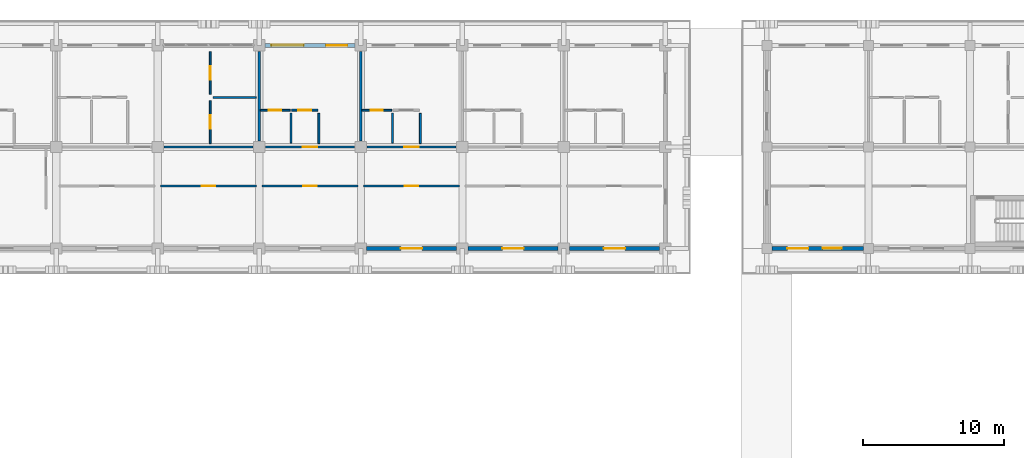
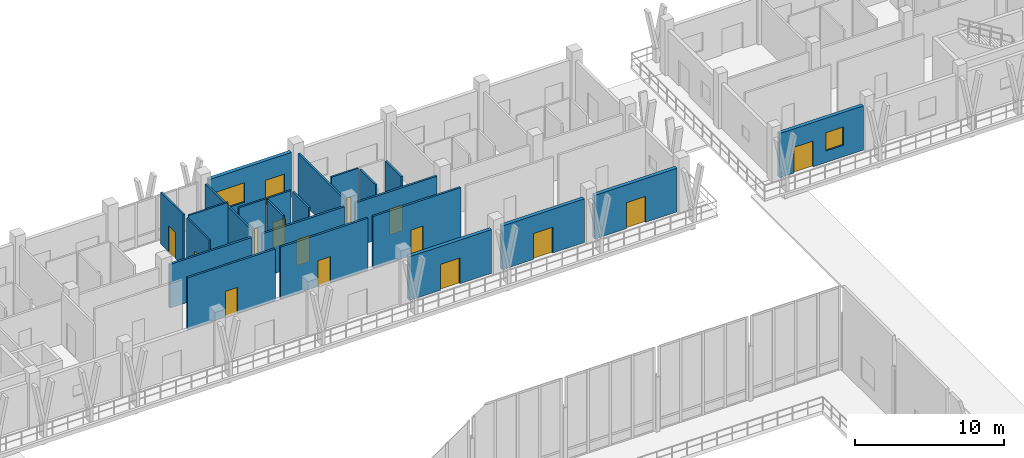
# One storey, part 78 of 110: 23 walls, 15 doors, 2 windows, 17 openings.
"""IFC4 building model written with IfcOpenShell, lengths in metres."""

from ifc_helpers import new_model, si_unit, direction, frame, frame_2d, origin, place, context, subcontext, project, spatial, rectangle, extrude, material, layer, layer_set, type_object, element, fill, save


model = new_model("IFC4")

# Units and contexts
model_context = context("Model", 3, precision=1e-05, world=origin(), true_north=direction((0.0, 1.0)))
body_context = subcontext(model_context, "Body", "Model", "MODEL_VIEW")
ifc_project = project(units=[si_unit("LENGTHUNIT", "METRE"), si_unit("AREAUNIT", "SQUARE_METRE"), si_unit("VOLUMEUNIT", "CUBIC_METRE"), si_unit("PLANEANGLEUNIT", "RADIAN"), si_unit("MASSUNIT", "GRAM", prefix="KILO")], contexts=[model_context])

# Site, building, storey
site_placement = place(None, origin())
site = spatial("IfcSite", under=ifc_project, at=site_placement, CompositionType="ELEMENT")
building_placement = place(site_placement, origin())
building = spatial("IfcBuilding", under=site, at=building_placement, Name="Suanplinth Sawtooth Commons", CompositionType="ELEMENT")
storey_placement = place(building_placement, frame((0.0, 0.0, 4.5)))
storey = spatial("IfcBuildingStorey", under=building, at=storey_placement, Name="L01", CompositionType="ELEMENT", Elevation=4.5)

# Wall, openings, door, window
ifc_material_1 = material(Name="Precast concrete C40/50", Category="concrete")
ifc_layer_1 = layer(ifc_material_1, 0.280029296875, Name="Insulated precast architectural facade wall 280mm")
ifc_layer_set_1 = layer_set([ifc_layer_1], Name="Precast concrete C40/50")
wall_type_1 = type_object("IfcWallType", Name="W-EX01", PredefinedType="ELEMENTEDWALL", material=ifc_layer_set_1)
wall_1_placement = place(storey_placement, frame((86.800048828125, 122.39990234375, 0.0), z_axis=(0.0, 0.0, 1.0), x_axis=(1.0, 0.0, 0.0)))
wall_1 = element("IfcWall", 1, at=wall_1_placement, inside=storey, type_object=wall_type_1, Name="Facade Wall W-L01-A-N-12", PredefinedType="ELEMENTEDWALL", context=body_context, shape_type="SweptSolid", body=[
    extrude(rectangle(XDim=6.39990234375, YDim=0.280029296875, at=frame_2d((3.199951171875, 0.0))), origin(), (0.0, 0.0, 1.0), 3.715087890625),
])
opening_1_placement = place(wall_1_placement, frame((4.35009765625, 0.0, 0.0)))
opening_1 = element("IfcOpeningElement", 2, at=opening_1_placement, cuts=wall_1, Name="Opening ED0055", PredefinedType="OPENING", context=body_context, shape_type="SweptSolid", body=[
    extrude(rectangle(XDim=1.5, YDim=2.1201171875, at=frame_2d((0.75, 1.06005859375))), frame((0.0, 0.15478515625, 0.0), z_axis=(0.0, -1.0, 0.0), x_axis=(1.0, 0.0, 0.0)), (0.0, 0.0, 1.0), 0.309814453125),
])
opening_2_placement = place(wall_1_placement, frame((0.449951171875, 0.0, 0.89990234375)))
opening_2 = element("IfcOpeningElement", 3, at=opening_2_placement, cuts=wall_1, Name="Opening W0180", PredefinedType="OPENING", context=body_context, shape_type="SweptSolid", body=[
    extrude(rectangle(XDim=2.300048828125, YDim=1.60009765625, at=frame_2d((1.14990234375, 0.800048828125))), frame((0.0, 0.15478515625, 0.0), z_axis=(0.0, -1.0, 0.0), x_axis=(1.0, 0.0, 0.0)), (0.0, 0.0, 1.0), 0.309814453125),
])
ifc_material_2 = material(Name="Anodized aluminium and low-E glass", Category="aluminium")
door_type_1 = type_object("IfcDoorType", Name="SD-03", OperationType="SLIDING_TO_LEFT", PredefinedType="DOOR", material=ifc_material_2)
door_1_placement = place(opening_1_placement, frame((1.5, 0.0, 0.0), z_axis=(0.0, 0.0, 1.0), x_axis=(-1.0, 0.0, 0.0)))
door_1 = element("IfcDoor", 4, at=door_1_placement, inside=storey, type_object=door_type_1, Name="Balcony Sliding Door L01-A-N-12", OperationType="SLIDING_TO_LEFT", OverallHeight=2.1201171875, OverallWidth=1.5, PredefinedType="DOOR", context=body_context, shape_type="SweptSolid", body=[
    extrude(rectangle(XDim=1.5, YDim=2.1201171875, at=frame_2d((0.75, 1.06005859375))), frame((0.0, 0.02490234375, 0.0), z_axis=(0.0, -1.0, 0.0), x_axis=(1.0, 0.0, 0.0)), (0.0, 0.0, 1.0), 0.050048828125),
])
fill(opening_1, door_1)
ifc_material_3 = material(Name="Thermally broken aluminium and low-E double glazing", Category="aluminium")
window_type_1 = type_object("IfcWindowType", Name="WN-21", PartitioningType="TRIPLE_PANEL_VERTICAL", PredefinedType="WINDOW", material=ifc_material_3)
window_1_placement = place(opening_2_placement, origin())
window_1 = element("IfcWindow", 5, at=window_1_placement, inside=storey, type_object=window_type_1, Name="Window L01-A-N-12", OverallHeight=1.60009765625, OverallWidth=2.300048828125, PartitioningType="TRIPLE_PANEL_VERTICAL", PredefinedType="WINDOW", context=body_context, shape_type="SweptSolid", body=[
    extrude(rectangle(XDim=2.300048828125, YDim=1.60009765625, at=frame_2d((1.14990234375, 0.800048828125))), frame((0.0, 0.030029296875, 0.0), z_axis=(0.0, -1.0, 0.0), x_axis=(1.0, 0.0, 0.0)), (0.0, 0.0, 1.0), 0.06005859375),
])
fill(opening_2, window_1)

# Wall, opening, door
wall_2_placement = place(storey_placement, frame((94.0, 108.0, 0.0), z_axis=(0.0, 0.0, 1.0), x_axis=(1.0, 0.0, 0.0)))
wall_2 = element("IfcWall", 6, at=wall_2_placement, inside=storey, type_object=wall_type_1, Name="Courtyard Wall W-L01-A-S-13", PredefinedType="ELEMENTEDWALL", context=body_context, shape_type="SweptSolid", body=[
    extrude(rectangle(XDim=6.39990234375, YDim=0.280029296875, at=frame_2d((3.199951171875, 0.0))), origin(), (0.0, 0.0, 1.0), 3.5849609375),
])
opening_3_placement = place(wall_2_placement, frame((2.449951171875, 0.0, 0.0)))
opening_3 = element("IfcOpeningElement", 7, at=opening_3_placement, cuts=wall_2, Name="Opening ED0058", PredefinedType="OPENING", context=body_context, shape_type="SweptSolid", body=[
    extrude(rectangle(XDim=1.5, YDim=2.1201171875, at=frame_2d((0.75, 1.06005859375))), frame((0.0, 0.15478515625, 0.0), z_axis=(0.0, -1.0, 0.0), x_axis=(1.0, 0.0, 0.0)), (0.0, 0.0, 1.0), 0.309814453125),
])
door_2_placement = place(opening_3_placement, frame((1.5, 0.0, 0.0), z_axis=(0.0, 0.0, 1.0), x_axis=(-1.0, 0.0, 0.0)))
door_2 = element("IfcDoor", 8, at=door_2_placement, inside=storey, type_object=door_type_1, Name="Courtyard Balcony Sliding Door L01-A-S-13", OperationType="SLIDING_TO_LEFT", OverallHeight=2.1201171875, OverallWidth=1.5, PredefinedType="DOOR", context=body_context, shape_type="SweptSolid", body=[
    extrude(rectangle(XDim=1.5, YDim=2.1201171875, at=frame_2d((0.75, 1.06005859375))), frame((0.0, 0.02490234375, 0.0), z_axis=(0.0, -1.0, 0.0), x_axis=(1.0, 0.0, 0.0)), (0.0, 0.0, 1.0), 0.050048828125),
])
fill(opening_3, door_2)

wall_3_placement = place(storey_placement, frame((101.199951171875, 108.0, 0.0), z_axis=(0.0, 0.0, 1.0), x_axis=(1.0, 0.0, 0.0)))
wall_3 = element("IfcWall", 9, at=wall_3_placement, inside=storey, type_object=wall_type_1, Name="Courtyard Wall W-L01-A-S-14", PredefinedType="ELEMENTEDWALL", context=body_context, shape_type="SweptSolid", body=[
    extrude(rectangle(XDim=6.400146484375, YDim=0.280029296875, at=frame_2d((3.2001953125, 0.0))), origin(), (0.0, 0.0, 1.0), 3.5849609375),
])
opening_4_placement = place(wall_3_placement, frame((2.449951171875, 0.0, 0.0)))
opening_4 = element("IfcOpeningElement", 10, at=opening_4_placement, cuts=wall_3, Name="Opening ED0060", PredefinedType="OPENING", context=body_context, shape_type="SweptSolid", body=[
    extrude(rectangle(XDim=1.5, YDim=2.1201171875, at=frame_2d((0.75, 1.06005859375))), frame((0.0, 0.15478515625, 0.0), z_axis=(0.0, -1.0, 0.0), x_axis=(1.0, 0.0, 0.0)), (0.0, 0.0, 1.0), 0.309814453125),
])
door_3_placement = place(opening_4_placement, frame((1.5, 0.0, 0.0), z_axis=(0.0, 0.0, 1.0), x_axis=(-1.0, 0.0, 0.0)))
door_3 = element("IfcDoor", 11, at=door_3_placement, inside=storey, type_object=door_type_1, Name="Courtyard Balcony Sliding Door L01-A-S-14", OperationType="SLIDING_TO_LEFT", OverallHeight=2.1201171875, OverallWidth=1.5, PredefinedType="DOOR", context=body_context, shape_type="SweptSolid", body=[
    extrude(rectangle(XDim=1.5, YDim=2.1201171875, at=frame_2d((0.75, 1.06005859375))), frame((0.0, 0.02490234375, 0.0), z_axis=(0.0, -1.0, 0.0), x_axis=(1.0, 0.0, 0.0)), (0.0, 0.0, 1.0), 0.050048828125),
])
fill(opening_4, door_3)

wall_4_placement = place(storey_placement, frame((108.39990234375, 108.0, 0.0), z_axis=(0.0, 0.0, 1.0), x_axis=(1.0, 0.0, 0.0)))
wall_4 = element("IfcWall", 12, at=wall_4_placement, inside=storey, type_object=wall_type_1, Name="Courtyard Wall W-L01-A-S-15", PredefinedType="ELEMENTEDWALL", context=body_context, shape_type="SweptSolid", body=[
    extrude(rectangle(XDim=6.400146484375, YDim=0.280029296875, at=frame_2d((3.2001953125, 0.0))), origin(), (0.0, 0.0, 1.0), 3.5849609375),
])
opening_5_placement = place(wall_4_placement, frame((2.449951171875, 0.0, 0.0)))
opening_5 = element("IfcOpeningElement", 13, at=opening_5_placement, cuts=wall_4, Name="Opening ED0062", PredefinedType="OPENING", context=body_context, shape_type="SweptSolid", body=[
    extrude(rectangle(XDim=1.5, YDim=2.1201171875, at=frame_2d((0.75, 1.06005859375))), frame((0.0, 0.15478515625, 0.0), z_axis=(0.0, -1.0, 0.0), x_axis=(1.0, 0.0, 0.0)), (0.0, 0.0, 1.0), 0.309814453125),
])
door_4_placement = place(opening_5_placement, frame((1.5, 0.0, 0.0), z_axis=(0.0, 0.0, 1.0), x_axis=(-1.0, 0.0, 0.0)))
door_4 = element("IfcDoor", 14, at=door_4_placement, inside=storey, type_object=door_type_1, Name="Courtyard Balcony Sliding Door L01-A-S-15", OperationType="SLIDING_TO_LEFT", OverallHeight=2.1201171875, OverallWidth=1.5, PredefinedType="DOOR", context=body_context, shape_type="SweptSolid", body=[
    extrude(rectangle(XDim=1.5, YDim=2.1201171875, at=frame_2d((0.75, 1.06005859375))), frame((0.0, 0.02490234375, 0.0), z_axis=(0.0, -1.0, 0.0), x_axis=(1.0, 0.0, 0.0)), (0.0, 0.0, 1.0), 0.050048828125),
])
fill(opening_5, door_4)

# Wall, openings, door, window
wall_5_placement = place(storey_placement, frame((122.75, 108.0, 0.0), z_axis=(0.0, 0.0, 1.0), x_axis=(1.0, 0.0, 0.0)))
wall_5 = element("IfcWall", 15, at=wall_5_placement, inside=storey, type_object=wall_type_1, Name="Facade Wall W-L01-B-S-17-15", PredefinedType="ELEMENTEDWALL", context=body_context, shape_type="SweptSolid", body=[
    extrude(rectangle(XDim=6.5, YDim=0.280029296875, at=frame_2d((3.25, 0.0))), origin(), (0.0, 0.0, 1.0), 3.635009765625),
])
opening_6_placement = place(wall_5_placement, frame((1.10009765625, 0.0, 0.0)))
opening_6 = element("IfcOpeningElement", 16, at=opening_6_placement, cuts=wall_5, Name="Opening ED0065", PredefinedType="OPENING", context=body_context, shape_type="SweptSolid", body=[
    extrude(rectangle(XDim=1.5, YDim=2.1201171875, at=frame_2d((0.75, 1.06005859375))), frame((0.0, 0.15478515625, 0.0), z_axis=(0.0, -1.0, 0.0), x_axis=(1.0, 0.0, 0.0)), (0.0, 0.0, 1.0), 0.309814453125),
])
opening_7_placement = place(wall_5_placement, frame((3.60009765625, 0.0, 0.949951171875)))
opening_7 = element("IfcOpeningElement", 17, at=opening_7_placement, cuts=wall_5, Name="Opening W0186", PredefinedType="OPENING", context=body_context, shape_type="SweptSolid", body=[
    extrude(rectangle(XDim=1.35009765625, YDim=1.5, at=frame_2d((0.675048828125, 0.75))), frame((0.0, 0.15478515625, 0.0), z_axis=(0.0, -1.0, 0.0), x_axis=(1.0, 0.0, 0.0)), (0.0, 0.0, 1.0), 0.309814453125),
])
door_5_placement = place(opening_6_placement, frame((1.5, 0.0, 0.0), z_axis=(0.0, 0.0, 1.0), x_axis=(-1.0, 0.0, 0.0)))
door_5 = element("IfcDoor", 18, at=door_5_placement, inside=storey, type_object=door_type_1, Name="Courtyard Balcony Door L01-B-17", OperationType="SLIDING_TO_LEFT", OverallHeight=2.1201171875, OverallWidth=1.5, PredefinedType="DOOR", context=body_context, shape_type="SweptSolid", body=[
    extrude(rectangle(XDim=1.5, YDim=2.1201171875, at=frame_2d((0.75, 1.06005859375))), frame((0.0, 0.02490234375, 0.0), z_axis=(0.0, -1.0, 0.0), x_axis=(1.0, 0.0, 0.0)), (0.0, 0.0, 1.0), 0.050048828125),
])
fill(opening_6, door_5)
window_type_2 = type_object("IfcWindowType", Name="WN-14", PartitioningType="SINGLE_PANEL", PredefinedType="WINDOW", material=ifc_material_3)
window_2_placement = place(opening_7_placement, origin())
window_2 = element("IfcWindow", 19, at=window_2_placement, inside=storey, type_object=window_type_2, Name="Courtyard Window L01-B-17", OverallHeight=1.5, OverallWidth=1.35009765625, PartitioningType="SINGLE_PANEL", PredefinedType="WINDOW", context=body_context, shape_type="SweptSolid", body=[
    extrude(rectangle(XDim=1.35009765625, YDim=1.5, at=frame_2d((0.675048828125, 0.75))), frame((0.0, 0.030029296875, 0.0), z_axis=(0.0, -1.0, 0.0), x_axis=(1.0, 0.0, 0.0)), (0.0, 0.0, 1.0), 0.06005859375),
])
fill(opening_7, window_2)

# Wall
ifc_layer_2 = layer(ifc_material_1, 0.159912109375, Name="Fire-rated corridor and lobby wall 160mm")
ifc_layer_set_2 = layer_set([ifc_layer_2], Name="Precast concrete C40/50")
wall_type_2 = type_object("IfcWallType", Name="W-FW01", PredefinedType="PARTITIONING", material=ifc_layer_set_2)
wall_6_placement = place(storey_placement, frame((79.6298828125, 115.199951171875, 0.0), z_axis=(0.0, 0.0, 1.0), x_axis=(1.0, 0.0, 0.0)))
element("IfcWall", 20, at=wall_6_placement, inside=storey, type_object=wall_type_2, Name="W-A-L01-U09-COR-S2", PredefinedType="PARTITIONING", context=body_context, shape_type="SweptSolid", body=[
    extrude(rectangle(XDim=6.340087890625, YDim=0.159912109375, at=frame_2d((3.169921875, 0.0))), origin(), (0.0, 0.0, 1.0), 3.5849609375),
])

# Wall, opening, door
wall_7_placement = place(storey_placement, frame((86.830078125, 115.199951171875, 0.0), z_axis=(0.0, 0.0, 1.0), x_axis=(1.0, 0.0, 0.0)))
wall_7 = element("IfcWall", 21, at=wall_7_placement, inside=storey, type_object=wall_type_2, Name="W-A-L01-U10-COR", PredefinedType="PARTITIONING", context=body_context, shape_type="SweptSolid", body=[
    extrude(rectangle(XDim=6.33984375, YDim=0.159912109375, at=frame_2d((3.169921875, 0.0))), origin(), (0.0, 0.0, 1.0), 3.5849609375),
])
opening_8_placement = place(wall_7_placement, frame((2.669921875, 0.0, 0.0)))
opening_8 = element("IfcOpeningElement", 22, at=opening_8_placement, cuts=wall_7, Name="Opening FD0555", PredefinedType="OPENING", context=body_context, shape_type="SweptSolid", body=[
    extrude(rectangle(XDim=1.0, YDim=2.14990234375, at=frame_2d((0.5, 1.074951171875))), frame((0.0, 0.0947265625, 0.0), z_axis=(0.0, -1.0, 0.0), x_axis=(1.0, 0.0, 0.0)), (0.0, 0.0, 1.0), 0.189697265625),
])
ifc_material_4 = material(Name="Teak hardwood fire-rated door assembly", Category="wood")
door_type_2 = type_object("IfcDoorType", Name="FD-03", OperationType="NOTDEFINED", PredefinedType="DOOR", material=ifc_material_4)
door_6_placement = place(opening_8_placement, origin())
door_6 = element("IfcDoor", 23, at=door_6_placement, inside=storey, type_object=door_type_2, Name="Unit Entrance Door FD0555", OperationType="SINGLE_SWING_LEFT", OverallHeight=2.14990234375, OverallWidth=1.0, PredefinedType="DOOR", context=body_context, shape_type="SweptSolid", body=[
    extrude(rectangle(XDim=1.0, YDim=2.14990234375, at=frame_2d((0.5, 1.074951171875))), frame((0.0, 0.02490234375, 0.0), z_axis=(0.0, -1.0, 0.0), x_axis=(1.0, 0.0, 0.0)), (0.0, 0.0, 1.0), 0.050048828125),
])
fill(opening_8, door_6)

wall_8_placement = place(storey_placement, frame((94.030029296875, 115.199951171875, 0.0), z_axis=(0.0, 0.0, 1.0), x_axis=(1.0, 0.0, 0.0)))
wall_8 = element("IfcWall", 24, at=wall_8_placement, inside=storey, type_object=wall_type_2, Name="W-A-L01-U11-COR", PredefinedType="PARTITIONING", context=body_context, shape_type="SweptSolid", body=[
    extrude(rectangle(XDim=6.340087890625, YDim=0.159912109375, at=frame_2d((3.169921875, 0.0))), origin(), (0.0, 0.0, 1.0), 3.5849609375),
])
opening_9_placement = place(wall_8_placement, frame((2.669921875, 0.0, 0.0)))
opening_9 = element("IfcOpeningElement", 25, at=opening_9_placement, cuts=wall_8, Name="Opening FD0558", PredefinedType="OPENING", context=body_context, shape_type="SweptSolid", body=[
    extrude(rectangle(XDim=1.0, YDim=2.14990234375, at=frame_2d((0.5, 1.074951171875))), frame((0.0, 0.0947265625, 0.0), z_axis=(0.0, -1.0, 0.0), x_axis=(1.0, 0.0, 0.0)), (0.0, 0.0, 1.0), 0.189697265625),
])
door_7_placement = place(opening_9_placement, origin())
door_7 = element("IfcDoor", 26, at=door_7_placement, inside=storey, type_object=door_type_2, Name="Unit Entrance Door FD0558", OperationType="SINGLE_SWING_RIGHT", OverallHeight=2.14990234375, OverallWidth=1.0, PredefinedType="DOOR", context=body_context, shape_type="SweptSolid", body=[
    extrude(rectangle(XDim=1.0, YDim=2.14990234375, at=frame_2d((0.5, 1.074951171875))), frame((0.0, 0.02490234375, 0.0), z_axis=(0.0, -1.0, 0.0), x_axis=(1.0, 0.0, 0.0)), (0.0, 0.0, 1.0), 0.050048828125),
])
fill(opening_9, door_7)

wall_9_placement = place(storey_placement, frame((79.39990234375, 112.419921875, 0.0), z_axis=(0.0, 0.0, 1.0), x_axis=(1.0, 0.0, 0.0)))
wall_9 = element("IfcWall", 27, at=wall_9_placement, inside=storey, type_object=wall_type_2, Name="W-A-L01-COURTROOM-20-COR", PredefinedType="PARTITIONING", context=body_context, shape_type="SweptSolid", body=[
    extrude(rectangle(XDim=6.800048828125, YDim=0.159912109375, at=frame_2d((3.39990234375, 0.0))), origin(), (0.0, 0.0, 1.0), 4.25),
])
opening_10_placement = place(wall_9_placement, frame((2.929931640625, 0.0, 0.0)))
opening_10 = element("IfcOpeningElement", 28, at=opening_10_placement, cuts=wall_9, Name="Opening D0574", PredefinedType="OPENING", context=body_context, shape_type="SweptSolid", body=[
    extrude(rectangle(XDim=0.93994140625, YDim=2.1201171875, at=frame_2d((0.469970703125, 1.06005859375))), frame((0.0, 0.0947265625, 0.0), z_axis=(0.0, -1.0, 0.0), x_axis=(1.0, 0.0, 0.0)), (0.0, 0.0, 1.0), 0.189697265625),
])
ifc_material_5 = material(Name="Teak hardwood", Category="wood")
door_type_3 = type_object("IfcDoorType", Name="D-15", OperationType="NOTDEFINED", PredefinedType="DOOR", material=ifc_material_5)
door_8_placement = place(opening_10_placement, frame((0.93994140625, 0.0, 0.0), z_axis=(0.0, 0.0, 1.0), x_axis=(-1.0, 0.0, 0.0)))
door_8 = element("IfcDoor", 29, at=door_8_placement, inside=storey, type_object=door_type_3, Name="Study Studio Door D0574", OperationType="SINGLE_SWING_RIGHT", OverallHeight=2.1201171875, OverallWidth=0.93994140625, PredefinedType="DOOR", context=body_context, shape_type="SweptSolid", body=[
    extrude(rectangle(XDim=0.93994140625, YDim=2.1201171875, at=frame_2d((0.469970703125, 1.06005859375))), frame((0.0, 0.02490234375, 0.0), z_axis=(0.0, -1.0, 0.0), x_axis=(1.0, 0.0, 0.0)), (0.0, 0.0, 1.0), 0.050048828125),
])
fill(opening_10, door_8)

wall_10_placement = place(storey_placement, frame((86.60009765625, 112.419921875, 0.0), z_axis=(0.0, 0.0, 1.0), x_axis=(1.0, 0.0, 0.0)))
wall_10 = element("IfcWall", 30, at=wall_10_placement, inside=storey, type_object=wall_type_2, Name="W-A-L01-COURTROOM-21-COR", PredefinedType="PARTITIONING", context=body_context, shape_type="SweptSolid", body=[
    extrude(rectangle(XDim=6.7998046875, YDim=0.159912109375, at=frame_2d((3.39990234375, 0.0))), origin(), (0.0, 0.0, 1.0), 4.25),
])
opening_11_placement = place(wall_10_placement, frame((2.929931640625, 0.0, 0.0)))
opening_11 = element("IfcOpeningElement", 31, at=opening_11_placement, cuts=wall_10, Name="Opening D0575", PredefinedType="OPENING", context=body_context, shape_type="SweptSolid", body=[
    extrude(rectangle(XDim=0.93994140625, YDim=2.1201171875, at=frame_2d((0.469970703125, 1.06005859375))), frame((0.0, 0.0947265625, 0.0), z_axis=(0.0, -1.0, 0.0), x_axis=(1.0, 0.0, 0.0)), (0.0, 0.0, 1.0), 0.189697265625),
])
door_9_placement = place(opening_11_placement, frame((0.93994140625, 0.0, 0.0), z_axis=(0.0, 0.0, 1.0), x_axis=(-1.0, 0.0, 0.0)))
door_9 = element("IfcDoor", 32, at=door_9_placement, inside=storey, type_object=door_type_3, Name="Study Studio Door D0575", OperationType="SINGLE_SWING_LEFT", OverallHeight=2.1201171875, OverallWidth=0.93994140625, PredefinedType="DOOR", context=body_context, shape_type="SweptSolid", body=[
    extrude(rectangle(XDim=0.93994140625, YDim=2.1201171875, at=frame_2d((0.469970703125, 1.06005859375))), frame((0.0, 0.02490234375, 0.0), z_axis=(0.0, -1.0, 0.0), x_axis=(1.0, 0.0, 0.0)), (0.0, 0.0, 1.0), 0.050048828125),
])
fill(opening_11, door_9)

wall_11_placement = place(storey_placement, frame((93.800048828125, 112.419921875, 0.0), z_axis=(0.0, 0.0, 1.0), x_axis=(1.0, 0.0, 0.0)))
wall_11 = element("IfcWall", 33, at=wall_11_placement, inside=storey, type_object=wall_type_2, Name="W-A-L01-COURTROOM-22-COR", PredefinedType="PARTITIONING", context=body_context, shape_type="SweptSolid", body=[
    extrude(rectangle(XDim=6.800048828125, YDim=0.159912109375, at=frame_2d((3.39990234375, 0.0))), origin(), (0.0, 0.0, 1.0), 4.25),
])
opening_12_placement = place(wall_11_placement, frame((2.929931640625, 0.0, 0.0)))
opening_12 = element("IfcOpeningElement", 34, at=opening_12_placement, cuts=wall_11, Name="Opening D0576", PredefinedType="OPENING", context=body_context, shape_type="SweptSolid", body=[
    extrude(rectangle(XDim=0.93994140625, YDim=2.1201171875, at=frame_2d((0.469970703125, 1.06005859375))), frame((0.0, 0.0947265625, 0.0), z_axis=(0.0, -1.0, 0.0), x_axis=(1.0, 0.0, 0.0)), (0.0, 0.0, 1.0), 0.189697265625),
])
door_10_placement = place(opening_12_placement, frame((0.93994140625, 0.0, 0.0), z_axis=(0.0, 0.0, 1.0), x_axis=(-1.0, 0.0, 0.0)))
door_10 = element("IfcDoor", 35, at=door_10_placement, inside=storey, type_object=door_type_3, Name="Study Studio Door D0576", OperationType="SINGLE_SWING_RIGHT", OverallHeight=2.1201171875, OverallWidth=0.93994140625, PredefinedType="DOOR", context=body_context, shape_type="SweptSolid", body=[
    extrude(rectangle(XDim=0.93994140625, YDim=2.1201171875, at=frame_2d((0.469970703125, 1.06005859375))), frame((0.0, 0.02490234375, 0.0), z_axis=(0.0, -1.0, 0.0), x_axis=(1.0, 0.0, 0.0)), (0.0, 0.0, 1.0), 0.050048828125),
])
fill(opening_12, door_10)

# Walls
ifc_layer_3 = layer(ifc_material_1, 0.14990234375, Name="Acoustic precast party demising wall 150mm")
ifc_layer_set_3 = layer_set([ifc_layer_3], Name="Precast concrete C40/50")
wall_type_3 = type_object("IfcWallType", Name="W-FW02", PredefinedType="PARTITIONING", material=ifc_layer_set_3)
for number, where, z_axis, x_axis, name in (
    (36, (86.39990234375, 115.6298828125, 0.0), (0.0, 0.0, 1.0), (0.0, 1.0, 0.0), "W-A-L01-U09-PTY"),
    (37, (93.60009765625, 115.6298828125, 0.0), (0.0, 0.0, 1.0), (0.0, 1.0, 0.0), "W-A-L01-U10-PTY"),
):
    element("IfcWall", number, at=place(storey_placement, frame(where, z_axis=z_axis, x_axis=x_axis)), inside=storey, type_object=wall_type_3, Name=name, PredefinedType="PARTITIONING", context=body_context, shape_type="SweptSolid", body=[
        extrude(rectangle(XDim=6.340087890625, YDim=0.14990234375, at=frame_2d((3.169921875, 0.0))), origin(), (0.0, 0.0, 1.0), 3.68505859375),
    ])

# Wall, opening, door
ifc_material_6 = material(Name="Gypsum plasterboard on steel stud", Category="steel")
ifc_layer_4 = layer(ifc_material_6, 0.139892578125, Name="Fire-rated kitchen partition 140mm")
ifc_layer_set_4 = layer_set([ifc_layer_4], Name="Gypsum plasterboard on steel stud")
wall_type_4 = type_object("IfcWallType", Name="W-PT01", PredefinedType="PARTITIONING", material=ifc_layer_set_4)
wall_12_placement = place(storey_placement, frame((88.699951171875, 117.800048828125, 0.0), z_axis=(0.0, 0.0, 1.0), x_axis=(1.0, 0.0, 0.0)))
wall_12 = element("IfcWall", 38, at=wall_12_placement, inside=storey, type_object=wall_type_4, Name="W-A-L01-U10-KIT1", PredefinedType="PARTITIONING", context=body_context, shape_type="SweptSolid", body=[
    extrude(rectangle(XDim=1.85009765625, YDim=0.139892578125, at=frame_2d((0.925048828125, 0.0))), origin(), (0.0, 0.0, 1.0), 4.25),
])
opening_13_placement = place(wall_12_placement, frame((0.465087890625, 0.0, 0.0)))
opening_13 = element("IfcOpeningElement", 39, at=opening_13_placement, cuts=wall_12, Name="Opening D0557", PredefinedType="OPENING", context=body_context, shape_type="SweptSolid", body=[
    extrude(rectangle(XDim=0.919921875, YDim=2.10009765625, at=frame_2d((0.4599609375, 1.050048828125))), frame((0.0, 0.0849609375, 0.0), z_axis=(0.0, -1.0, 0.0), x_axis=(1.0, 0.0, 0.0)), (0.0, 0.0, 1.0), 0.169677734375),
])
door_type_4 = type_object("IfcDoorType", Name="D-02", OperationType="NOTDEFINED", PredefinedType="DOOR", material=ifc_material_5)
door_11_placement = place(opening_13_placement, frame((0.919921875, 0.0, 0.0), z_axis=(0.0, 0.0, 1.0), x_axis=(-1.0, 0.0, 0.0)))
door_11 = element("IfcDoor", 40, at=door_11_placement, inside=storey, type_object=door_type_4, Name="Kitchen Door D0557", OperationType="SINGLE_SWING_LEFT", OverallHeight=2.10009765625, OverallWidth=0.919921875, PredefinedType="DOOR", context=body_context, shape_type="SweptSolid", body=[
    extrude(rectangle(XDim=0.919921875, YDim=2.10009765625, at=frame_2d((0.4599609375, 1.050048828125))), frame((0.0, 0.02490234375, 0.0), z_axis=(0.0, -1.0, 0.0), x_axis=(1.0, 0.0, 0.0)), (0.0, 0.0, 1.0), 0.050048828125),
])
fill(opening_13, door_11)

# Walls
for number, where, z_axis, x_axis, name in (
    (41, (90.6201171875, 115.429931640625, 0.0), (0.0, 0.0, 1.0), (0.0, 1.0, 0.0), "W-A-L01-U10-KIT2"),
    (42, (97.820068359375, 115.429931640625, 0.0), (0.0, 0.0, 1.0), (0.0, 1.0, 0.0), "W-A-L01-U11-KIT2"),
):
    element("IfcWall", number, at=place(storey_placement, frame(where, z_axis=z_axis, x_axis=x_axis)), inside=storey, type_object=wall_type_4, Name=name, PredefinedType="PARTITIONING", context=body_context, shape_type="SweptSolid", body=[
        extrude(rectangle(XDim=2.150146484375, YDim=0.139892578125, at=frame_2d((1.0751953125, 0.0))), origin(), (0.0, 0.0, 1.0), 4.25),
    ])

# Wall, opening, door
ifc_layer_5 = layer(ifc_material_6, 0.1298828125, Name="Moisture-resistant bathroom partition 130mm")
ifc_layer_set_5 = layer_set([ifc_layer_5], Name="Gypsum plasterboard on steel stud")
wall_type_5 = type_object("IfcWallType", Name="W-PT02", PredefinedType="PARTITIONING", material=ifc_layer_set_5)
wall_13_placement = place(storey_placement, frame((86.47998046875, 117.794921875, 0.0), z_axis=(0.0, 0.0, 1.0), x_axis=(1.0, 0.0, 0.0)))
wall_13 = element("IfcWall", 43, at=wall_13_placement, inside=storey, type_object=wall_type_5, Name="W-A-L01-U10-BTH1", PredefinedType="PARTITIONING", context=body_context, shape_type="SweptSolid", body=[
    extrude(rectangle(XDim=2.10009765625, YDim=0.1298828125, at=frame_2d((1.050048828125, 0.0))), origin(), (0.0, 0.0, 1.0), 4.25),
])
opening_14_placement = place(wall_13_placement, frame((0.610107421875, 0.0, 0.0)))
opening_14 = element("IfcOpeningElement", 44, at=opening_14_placement, cuts=wall_13, Name="Opening D0556", PredefinedType="OPENING", context=body_context, shape_type="SweptSolid", body=[
    extrude(rectangle(XDim=0.8798828125, YDim=2.10009765625, at=frame_2d((0.43994140625, 1.050048828125))), frame((0.0, 0.079833984375, 0.0), z_axis=(0.0, -1.0, 0.0), x_axis=(1.0, 0.0, 0.0)), (0.0, 0.0, 1.0), 0.15966796875),
])
door_type_5 = type_object("IfcDoorType", Name="D-14", OperationType="NOTDEFINED", PredefinedType="DOOR", material=ifc_material_5)
door_12_placement = place(opening_14_placement, frame((0.8798828125, 0.0, 0.0), z_axis=(0.0, 0.0, 1.0), x_axis=(-1.0, 0.0, 0.0)))
door_12 = element("IfcDoor", 45, at=door_12_placement, inside=storey, type_object=door_type_5, Name="Bathroom Door D0556", OperationType="SINGLE_SWING_RIGHT", OverallHeight=2.10009765625, OverallWidth=0.8798828125, PredefinedType="DOOR", context=body_context, shape_type="SweptSolid", body=[
    extrude(rectangle(XDim=0.8798828125, YDim=2.10009765625, at=frame_2d((0.43994140625, 1.050048828125))), frame((0.0, 0.02490234375, 0.0), z_axis=(0.0, -1.0, 0.0), x_axis=(1.0, 0.0, 0.0)), (0.0, 0.0, 1.0), 0.050048828125),
])
fill(opening_14, door_12)

# Wall
wall_14_placement = place(storey_placement, frame((88.64501953125, 115.4599609375, 0.0), z_axis=(0.0, 0.0, 1.0), x_axis=(0.0, 1.0, 0.0)))
element("IfcWall", 46, at=wall_14_placement, inside=storey, type_object=wall_type_5, Name="W-A-L01-U10-BTH2", PredefinedType="PARTITIONING", context=body_context, shape_type="SweptSolid", body=[
    extrude(rectangle(XDim=2.130126953125, YDim=0.1298828125, at=frame_2d((1.06494140625, 0.0))), origin(), (0.0, 0.0, 1.0), 4.25),
])

# Wall, opening, door
wall_15_placement = place(storey_placement, frame((93.679931640625, 117.794921875, 0.0), z_axis=(0.0, 0.0, 1.0), x_axis=(1.0, 0.0, 0.0)))
wall_15 = element("IfcWall", 47, at=wall_15_placement, inside=storey, type_object=wall_type_5, Name="W-A-L01-U11-BTH1", PredefinedType="PARTITIONING", context=body_context, shape_type="SweptSolid", body=[
    extrude(rectangle(XDim=2.10009765625, YDim=0.1298828125, at=frame_2d((1.050048828125, 0.0))), origin(), (0.0, 0.0, 1.0), 4.25),
])
opening_15_placement = place(wall_15_placement, frame((0.610107421875, 0.0, 0.0)))
opening_15 = element("IfcOpeningElement", 48, at=opening_15_placement, cuts=wall_15, Name="Opening D0559", PredefinedType="OPENING", context=body_context, shape_type="SweptSolid", body=[
    extrude(rectangle(XDim=0.8798828125, YDim=2.10009765625, at=frame_2d((0.43994140625, 1.050048828125))), frame((0.0, 0.079833984375, 0.0), z_axis=(0.0, -1.0, 0.0), x_axis=(1.0, 0.0, 0.0)), (0.0, 0.0, 1.0), 0.15966796875),
])
door_13_placement = place(opening_15_placement, frame((0.8798828125, 0.0, 0.0), z_axis=(0.0, 0.0, 1.0), x_axis=(-1.0, 0.0, 0.0)))
door_13 = element("IfcDoor", 49, at=door_13_placement, inside=storey, type_object=door_type_5, Name="Bathroom Door D0559", OperationType="SINGLE_SWING_LEFT", OverallHeight=2.10009765625, OverallWidth=0.8798828125, PredefinedType="DOOR", context=body_context, shape_type="SweptSolid", body=[
    extrude(rectangle(XDim=0.8798828125, YDim=2.10009765625, at=frame_2d((0.43994140625, 1.050048828125))), frame((0.0, 0.02490234375, 0.0), z_axis=(0.0, -1.0, 0.0), x_axis=(1.0, 0.0, 0.0)), (0.0, 0.0, 1.0), 0.050048828125),
])
fill(opening_15, door_13)

# Wall
wall_16_placement = place(storey_placement, frame((95.844970703125, 115.4599609375, 0.0), z_axis=(0.0, 0.0, 1.0), x_axis=(0.0, 1.0, 0.0)))
element("IfcWall", 50, at=wall_16_placement, inside=storey, type_object=wall_type_5, Name="W-A-L01-U11-BTH2", PredefinedType="PARTITIONING", context=body_context, shape_type="SweptSolid", body=[
    extrude(rectangle(XDim=2.130126953125, YDim=0.1298828125, at=frame_2d((1.06494140625, 0.0))), origin(), (0.0, 0.0, 1.0), 4.25),
])

# Wall, opening, door
ifc_layer_6 = layer(ifc_material_6, 0.1201171875, Name="Acoustic bedroom partition 120mm")
ifc_layer_set_6 = layer_set([ifc_layer_6], Name="Gypsum plasterboard on steel stud")
wall_type_6 = type_object("IfcWallType", Name="W-PT03", PredefinedType="PARTITIONING", material=ifc_layer_set_6)
wall_17_placement = place(storey_placement, frame((82.919921875, 115.43994140625, 0.0), z_axis=(0.0, 0.0, 1.0), x_axis=(0.0, 1.0, 0.0)))
wall_17 = element("IfcWall", 51, at=wall_17_placement, inside=storey, type_object=wall_type_6, Name="W-A-L01-U09-BED2", PredefinedType="PARTITIONING", context=body_context, shape_type="SweptSolid", body=[
    extrude(rectangle(XDim=3.0400390625, YDim=0.1201171875, at=frame_2d((1.52001953125, 0.0))), origin(), (0.0, 0.0, 1.0), 4.25),
])
opening_16_placement = place(wall_17_placement, frame((1.0400390625, 0.0, 0.0)))
opening_16 = element("IfcOpeningElement", 52, at=opening_16_placement, cuts=wall_17, Name="Opening D0554", PredefinedType="OPENING", context=body_context, shape_type="SweptSolid", body=[
    extrude(rectangle(XDim=0.9599609375, YDim=2.14990234375, at=frame_2d((0.47998046875, 1.074951171875))), frame((0.0, 0.074951171875, 0.0), z_axis=(0.0, -1.0, 0.0), x_axis=(1.0, 0.0, 0.0)), (0.0, 0.0, 1.0), 0.14990234375),
])
door_type_6 = type_object("IfcDoorType", Name="D-13", OperationType="NOTDEFINED", PredefinedType="DOOR", material=ifc_material_5)
door_14_placement = place(opening_16_placement, frame((0.9599609375, 0.0, 0.0), z_axis=(0.0, 0.0, 1.0), x_axis=(-1.0, 0.0, 0.0)))
door_14 = element("IfcDoor", 53, at=door_14_placement, inside=storey, type_object=door_type_6, Name="Second Bedroom Door D0554", OperationType="SINGLE_SWING_RIGHT", OverallHeight=2.14990234375, OverallWidth=0.9599609375, PredefinedType="DOOR", context=body_context, shape_type="SweptSolid", body=[
    extrude(rectangle(XDim=0.9599609375, YDim=2.14990234375, at=frame_2d((0.47998046875, 1.074951171875))), frame((0.0, 0.02490234375, 0.0), z_axis=(0.0, -1.0, 0.0), x_axis=(1.0, 0.0, 0.0)), (0.0, 0.0, 1.0), 0.050048828125),
])
fill(opening_16, door_14)

# Wall
ifc_layer_7 = layer(ifc_material_6, 0.125, Name="Acoustic study partition 125mm")
ifc_layer_set_7 = layer_set([ifc_layer_7], Name="Gypsum plasterboard on steel stud")
wall_type_7 = type_object("IfcWallType", Name="W-PT06", PredefinedType="PARTITIONING", material=ifc_layer_set_7)
wall_18_placement = place(storey_placement, frame((83.1201171875, 118.699951171875, 0.0), z_axis=(0.0, 0.0, 1.0), x_axis=(1.0, 0.0, 0.0)))
element("IfcWall", 54, at=wall_18_placement, inside=storey, type_object=wall_type_7, Name="W-A-L01-U09-BEDDIV", PredefinedType="PARTITIONING", context=body_context, shape_type="SweptSolid", body=[
    extrude(rectangle(XDim=3.059814453125, YDim=0.125, at=frame_2d((1.52978515625, 0.0))), origin(), (0.0, 0.0, 1.0), 4.25),
])

# Wall, opening, door
ifc_layer_8 = layer(ifc_material_6, 0.135009765625, Name="Insulated bedroom demising partition 135mm")
ifc_layer_set_8 = layer_set([ifc_layer_8], Name="Gypsum plasterboard on steel stud")
wall_type_8 = type_object("IfcWallType", Name="W-PT07", PredefinedType="PARTITIONING", material=ifc_layer_set_8)
wall_19_placement = place(storey_placement, frame((82.919921875, 118.919921875, 0.0), z_axis=(0.0, 0.0, 1.0), x_axis=(0.0, 1.0, 0.0)))
wall_19 = element("IfcWall", 55, at=wall_19_placement, inside=storey, type_object=wall_type_8, Name="W-A-L01-U09-BED1", PredefinedType="PARTITIONING", context=body_context, shape_type="SweptSolid", body=[
    extrude(rectangle(XDim=3.0400390625, YDim=0.135009765625, at=frame_2d((1.52001953125, 0.0))), origin(), (0.0, 0.0, 1.0), 4.25),
])
opening_17_placement = place(wall_19_placement, frame((1.044921875, 0.0, 0.0)))
opening_17 = element("IfcOpeningElement", 56, at=opening_17_placement, cuts=wall_19, Name="Opening D0553", PredefinedType="OPENING", context=body_context, shape_type="SweptSolid", body=[
    extrude(rectangle(XDim=0.949951171875, YDim=2.14990234375, at=frame_2d((0.47509765625, 1.074951171875))), frame((0.0, 0.08251953125, 0.0), z_axis=(0.0, -1.0, 0.0), x_axis=(1.0, 0.0, 0.0)), (0.0, 0.0, 1.0), 0.164794921875),
])
door_type_7 = type_object("IfcDoorType", Name="D-03", OperationType="NOTDEFINED", PredefinedType="DOOR", material=ifc_material_5)
door_15_placement = place(opening_17_placement, frame((0.949951171875, 0.0, 0.0), z_axis=(0.0, 0.0, 1.0), x_axis=(-1.0, 0.0, 0.0)))
door_15 = element("IfcDoor", 57, at=door_15_placement, inside=storey, type_object=door_type_7, Name="Bedroom Door D0553", OperationType="SINGLE_SWING_LEFT", OverallHeight=2.14990234375, OverallWidth=0.949951171875, PredefinedType="DOOR", context=body_context, shape_type="SweptSolid", body=[
    extrude(rectangle(XDim=0.949951171875, YDim=2.14990234375, at=frame_2d((0.47509765625, 1.074951171875))), frame((0.0, 0.02490234375, 0.0), z_axis=(0.0, -1.0, 0.0), x_axis=(1.0, 0.0, 0.0)), (0.0, 0.0, 1.0), 0.050048828125),
])
fill(opening_17, door_15)

save(model, "model.ifc")
